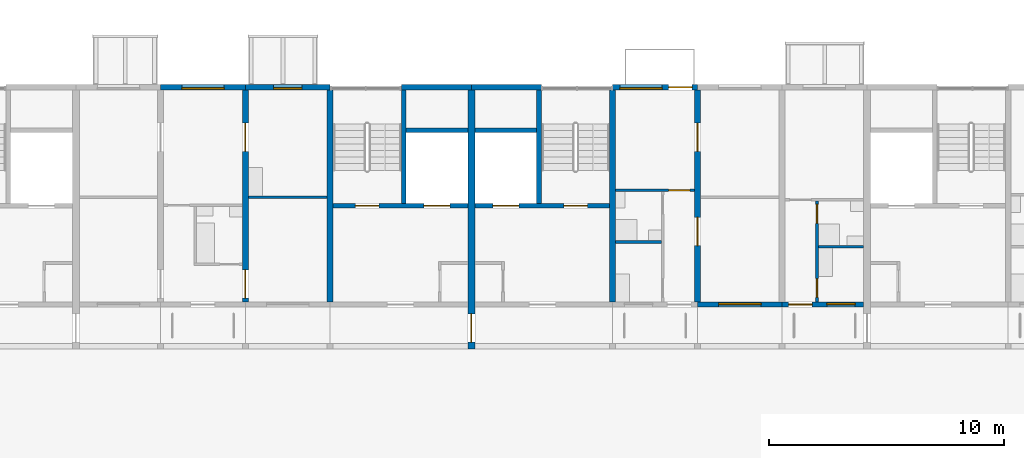
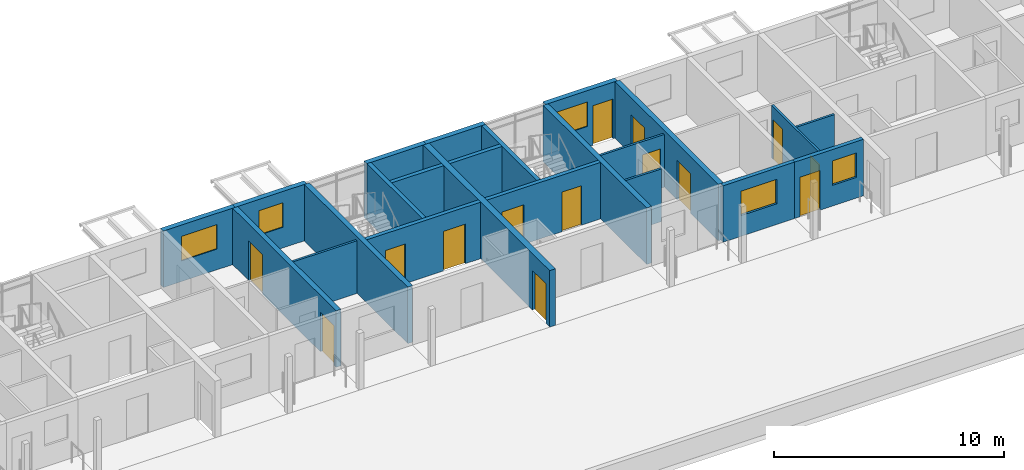
# One storey, part 63 of 115: 23 walls, 14 doors, 5 windows, 19 openings.
"""IFC4 building model written with IfcOpenShell, lengths in metres."""

from ifc_helpers import new_model, si_unit, direction, frame, frame_2d, origin, place, context, subcontext, project, spatial, rectangle, extrude, material, layer, layer_set, type_object, element, fill, save


model = new_model("IFC4")

# Units and contexts
model_context = context("Model", 3, precision=1e-05, world=origin(), true_north=direction((0.0, 1.0)))
body_context = subcontext(model_context, "Body", "Model", "MODEL_VIEW")
ifc_project = project(units=[si_unit("LENGTHUNIT", "METRE"), si_unit("AREAUNIT", "SQUARE_METRE"), si_unit("VOLUMEUNIT", "CUBIC_METRE"), si_unit("PLANEANGLEUNIT", "RADIAN"), si_unit("MASSUNIT", "GRAM", prefix="KILO")], contexts=[model_context])

# Site, building, storey
site_placement = place(None, origin())
site = spatial("IfcSite", under=ifc_project, at=site_placement, CompositionType="ELEMENT")
building_placement = place(site_placement, origin())
building = spatial("IfcBuilding", under=site, at=building_placement, Name="Ridgestep Commons", CompositionType="ELEMENT")
storey_placement = place(building_placement, frame((0.0, 0.0, 6.0)))
storey = spatial("IfcBuildingStorey", under=building, at=storey_placement, Name="L02", CompositionType="ELEMENT", Elevation=6.0)

# Walls
ifc_material_1 = material(Name="Concrete C30/37", Category="concrete")
ifc_layer_1 = layer(ifc_material_1, 0.25)
ifc_layer_set_1 = layer_set([ifc_layer_1], Name="Core cross wall 250")
wall_type_1 = type_object("IfcWallType", Name="Core cross wall 250", PredefinedType="SHEAR", material=ifc_layer_set_1)
for number, where, z_axis, x_axis, name in (
    (1, (208.0, 13.75, 0.0), (0.0, 0.0, 1.0), (0.0, 1.0, 0.0), "Cross wall D-02-2080"),
    (2, (220.0, 13.75, 0.0), (0.0, 0.0, 1.0), (0.0, 1.0, 0.0), "Cross wall D-02-2200"),
):
    element("IfcWall", number, at=place(storey_placement, frame(where, z_axis=z_axis, x_axis=x_axis)), inside=storey, type_object=wall_type_1, Name=name, PredefinedType="SHEAR", context=body_context, shape_type="SweptSolid", body=[
        extrude(rectangle(XDim=9.0, YDim=0.25, at=frame_2d((4.5, 0.0))), origin(), (0.0, 0.0, 1.0), 3.0),
    ])

# Wall, openings, doors
ifc_material_2 = material(Name="Concrete C30/37", Category="concrete")
ifc_layer_2 = layer(ifc_material_2, 0.199951171875)
ifc_layer_set_2 = layer_set([ifc_layer_2], Name="Core wall 200")
wall_type_2 = type_object("IfcWallType", Name="Core wall 200", PredefinedType="SHEAR", material=ifc_layer_set_2)
wall_1_placement = place(storey_placement, frame((208.125, 17.85009765625, 0.0), z_axis=(0.0, 0.0, 1.0), x_axis=(1.0, 0.0, 0.0)))
wall_1 = element("IfcWall", 3, at=wall_1_placement, inside=storey, type_object=wall_type_2, Name="Core lobby wall D4C L02", PredefinedType="SHEAR", context=body_context, shape_type="SweptSolid", body=[
    extrude(rectangle(XDim=5.72509765625, YDim=0.199951171875, at=frame_2d((2.862548828125, 0.0))), origin(), (0.0, 0.0, 1.0), 3.0),
])
opening_1_placement = place(wall_1_placement, frame((0.949951171875, 0.0, 0.0)))
opening_1 = element("IfcOpeningElement", 4, at=opening_1_placement, cuts=wall_1, Name="Opening D4C/02/2", PredefinedType="OPENING", context=body_context, shape_type="SweptSolid", body=[
    extrude(rectangle(XDim=1.0, YDim=2.10009765625, at=frame_2d((0.5, 1.050048828125))), frame((0.0, 0.10986328125, 0.0), z_axis=(0.0, -1.0, 0.0), x_axis=(1.0, 0.0, 0.0)), (0.0, 0.0, 1.0), 0.219970703125),
])
opening_2_placement = place(wall_1_placement, frame((3.862548828125, 0.0, 0.0)))
opening_2 = element("IfcOpeningElement", 5, at=opening_2_placement, cuts=wall_1, Name="Opening D4C/02/3", PredefinedType="OPENING", context=body_context, shape_type="SweptSolid", body=[
    extrude(rectangle(XDim=1.10009765625, YDim=2.10009765625, at=frame_2d((0.550048828125, 1.050048828125))), frame((0.0, 0.10986328125, 0.0), z_axis=(0.0, -1.0, 0.0), x_axis=(1.0, 0.0, 0.0)), (0.0, 0.0, 1.0), 0.219970703125),
])
ifc_material_3 = material(Name="Stainless steel", Category="steel")
door_type_1 = type_object("IfcDoorType", Name="Lift landing door 1100 x 2100 FD60", OperationType="DOUBLE_DOOR_SLIDING", PredefinedType="DOOR", material=ifc_material_3)
door_1_placement = place(opening_2_placement, origin())
door_1 = element("IfcDoor", 6, at=door_1_placement, inside=storey, type_object=door_type_1, Name="Landing door LD D4C L02", OperationType="DOUBLE_DOOR_SLIDING", OverallHeight=2.10009765625, OverallWidth=1.10009765625, PredefinedType="DOOR", context=body_context, shape_type="SweptSolid", body=[
    extrude(rectangle(XDim=1.10009765625, YDim=2.10009765625, at=frame_2d((0.550048828125, 1.050048828125))), frame((0.0, 0.02490234375, 0.0), z_axis=(0.0, -1.0, 0.0), x_axis=(1.0, 0.0, 0.0)), (0.0, 0.0, 1.0), 0.050048828125),
])
fill(opening_2, door_1)
ifc_material_4 = material(Name="Steel fire door", Category="steel")
door_type_2 = type_object("IfcDoorType", Name="Stair door 1000 x 2100 FD60", OperationType="NOTDEFINED", PredefinedType="DOOR", material=ifc_material_4)
door_2_placement = place(opening_1_placement, origin())
door_2 = element("IfcDoor", 7, at=door_2_placement, inside=storey, type_object=door_type_2, Name="Stair door D4C/02/2", OperationType="SINGLE_SWING_RIGHT", OverallHeight=2.10009765625, OverallWidth=1.0, PredefinedType="DOOR", context=body_context, shape_type="SweptSolid", body=[
    extrude(rectangle(XDim=1.0, YDim=2.10009765625, at=frame_2d((0.5, 1.050048828125))), frame((0.0, 0.02490234375, 0.0), z_axis=(0.0, -1.0, 0.0), x_axis=(1.0, 0.0, 0.0)), (0.0, 0.0, 1.0), 0.050048828125),
])
fill(opening_1, door_2)

# Walls
wall_2_placement = place(storey_placement, frame((211.125, 17.949951171875, 0.0), z_axis=(0.0, 0.0, 1.0), x_axis=(0.0, 1.0, 0.0)))
element("IfcWall", 8, at=wall_2_placement, inside=storey, type_object=wall_type_2, Name="Core stair wall D4C L02", PredefinedType="SHEAR", context=body_context, shape_type="SweptSolid", body=[
    extrude(rectangle(XDim=4.800048828125, YDim=0.199951171875, at=frame_2d((2.39990234375, 0.0))), origin(), (0.0, 0.0, 1.0), 3.0),
])
wall_3_placement = place(storey_placement, frame((211.22509765625, 21.050048828125, 0.0), z_axis=(0.0, 0.0, 1.0), x_axis=(1.0, 0.0, 0.0)))
element("IfcWall", 9, at=wall_3_placement, inside=storey, type_object=wall_type_2, Name="Core duct wall D4C L02", PredefinedType="SHEAR", context=body_context, shape_type="SweptSolid", body=[
    extrude(rectangle(XDim=2.625, YDim=0.199951171875, at=frame_2d((1.3125, 0.0))), origin(), (0.0, 0.0, 1.0), 3.0),
])

# Wall, openings, doors
wall_4_placement = place(storey_placement, frame((214.14990234375, 17.85009765625, 0.0), z_axis=(0.0, 0.0, 1.0), x_axis=(1.0, 0.0, 0.0)))
wall_4 = element("IfcWall", 10, at=wall_4_placement, inside=storey, type_object=wall_type_2, Name="Core lobby wall D5C L02", PredefinedType="SHEAR", context=body_context, shape_type="SweptSolid", body=[
    extrude(rectangle(XDim=5.72509765625, YDim=0.199951171875, at=frame_2d((2.862548828125, 0.0))), origin(), (0.0, 0.0, 1.0), 3.0),
])
opening_3_placement = place(wall_4_placement, frame((3.77490234375, 0.0, 0.0)))
opening_3 = element("IfcOpeningElement", 11, at=opening_3_placement, cuts=wall_4, Name="Opening D5C/02/2", PredefinedType="OPENING", context=body_context, shape_type="SweptSolid", body=[
    extrude(rectangle(XDim=1.0, YDim=2.10009765625, at=frame_2d((0.5, 1.050048828125))), frame((0.0, 0.10986328125, 0.0), z_axis=(0.0, -1.0, 0.0), x_axis=(1.0, 0.0, 0.0)), (0.0, 0.0, 1.0), 0.219970703125),
])
opening_4_placement = place(wall_4_placement, frame((0.762451171875, 0.0, 0.0)))
opening_4 = element("IfcOpeningElement", 12, at=opening_4_placement, cuts=wall_4, Name="Opening D5C/02/3", PredefinedType="OPENING", context=body_context, shape_type="SweptSolid", body=[
    extrude(rectangle(XDim=1.10009765625, YDim=2.10009765625, at=frame_2d((0.550048828125, 1.050048828125))), frame((0.0, 0.10986328125, 0.0), z_axis=(0.0, -1.0, 0.0), x_axis=(1.0, 0.0, 0.0)), (0.0, 0.0, 1.0), 0.219970703125),
])
door_3_placement = place(opening_4_placement, origin())
door_3 = element("IfcDoor", 13, at=door_3_placement, inside=storey, type_object=door_type_1, Name="Landing door LD D5C L02", OperationType="DOUBLE_DOOR_SLIDING", OverallHeight=2.10009765625, OverallWidth=1.10009765625, PredefinedType="DOOR", context=body_context, shape_type="SweptSolid", body=[
    extrude(rectangle(XDim=1.10009765625, YDim=2.10009765625, at=frame_2d((0.550048828125, 1.050048828125))), frame((0.0, 0.02490234375, 0.0), z_axis=(0.0, -1.0, 0.0), x_axis=(1.0, 0.0, 0.0)), (0.0, 0.0, 1.0), 0.050048828125),
])
fill(opening_4, door_3)
door_4_placement = place(opening_3_placement, origin())
door_4 = element("IfcDoor", 14, at=door_4_placement, inside=storey, type_object=door_type_2, Name="Stair door D5C/02/2", OperationType="SINGLE_SWING_RIGHT", OverallHeight=2.10009765625, OverallWidth=1.0, PredefinedType="DOOR", context=body_context, shape_type="SweptSolid", body=[
    extrude(rectangle(XDim=1.0, YDim=2.10009765625, at=frame_2d((0.5, 1.050048828125))), frame((0.0, 0.02490234375, 0.0), z_axis=(0.0, -1.0, 0.0), x_axis=(1.0, 0.0, 0.0)), (0.0, 0.0, 1.0), 0.050048828125),
])
fill(opening_3, door_4)

# Walls
wall_5_placement = place(storey_placement, frame((216.875, 17.949951171875, 0.0), z_axis=(0.0, 0.0, 1.0), x_axis=(0.0, 1.0, 0.0)))
element("IfcWall", 15, at=wall_5_placement, inside=storey, type_object=wall_type_2, Name="Core stair wall D5C L02", PredefinedType="SHEAR", context=body_context, shape_type="SweptSolid", body=[
    extrude(rectangle(XDim=4.800048828125, YDim=0.199951171875, at=frame_2d((2.39990234375, 0.0))), origin(), (0.0, 0.0, 1.0), 3.0),
])
wall_6_placement = place(storey_placement, frame((214.14990234375, 21.050048828125, 0.0), z_axis=(0.0, 0.0, 1.0), x_axis=(1.0, 0.0, 0.0)))
element("IfcWall", 16, at=wall_6_placement, inside=storey, type_object=wall_type_2, Name="Core duct wall D5C L02", PredefinedType="SHEAR", context=body_context, shape_type="SweptSolid", body=[
    extrude(rectangle(XDim=2.625, YDim=0.199951171875, at=frame_2d((1.3125, 0.0))), origin(), (0.0, 0.0, 1.0), 3.0),
])

# Wall, openings, doors
ifc_material_5 = material(Name="Precast concrete C40/50", Category="concrete")
ifc_layer_3 = layer(ifc_material_5, 0.25)
ifc_layer_set_3 = layer_set([ifc_layer_3], Name="Cross wall 250")
wall_type_3 = type_object("IfcWallType", Name="Cross wall 250", PredefinedType="SHEAR", material=ifc_layer_set_3)
wall_7_placement = place(storey_placement, frame((204.39990234375, 13.75, 0.0), z_axis=(0.0, 0.0, 1.0), x_axis=(0.0, 1.0, 0.0)))
wall_7 = element("IfcWall", 17, at=wall_7_placement, inside=storey, type_object=wall_type_3, Name="Cross wall D-02-2044", PredefinedType="SHEAR", context=body_context, shape_type="SweptSolid", body=[
    extrude(rectangle(XDim=9.0, YDim=0.25, at=frame_2d((4.5, 0.0))), origin(), (0.0, 0.0, 1.0), 3.0),
])
opening_5_placement = place(wall_7_placement, frame((0.175048828125, 0.0, 0.0)))
opening_5 = element("IfcOpeningElement", 18, at=opening_5_placement, cuts=wall_7, Name="Opening D4-02a/6", PredefinedType="OPENING", context=body_context, shape_type="SweptSolid", body=[
    extrude(rectangle(XDim=1.199951171875, YDim=2.10009765625, at=frame_2d((0.60009765625, 1.050048828125))), frame((0.0, 0.135009765625, 0.0), z_axis=(0.0, -1.0, 0.0), x_axis=(1.0, 0.0, 0.0)), (0.0, 0.0, 1.0), 0.27001953125),
])
opening_6_placement = place(wall_7_placement, frame((6.39990234375, 0.0, 0.0)))
opening_6 = element("IfcOpeningElement", 19, at=opening_6_placement, cuts=wall_7, Name="Opening D4-02a/7", PredefinedType="OPENING", context=body_context, shape_type="SweptSolid", body=[
    extrude(rectangle(XDim=1.199951171875, YDim=2.10009765625, at=frame_2d((0.60009765625, 1.050048828125))), frame((0.0, 0.135009765625, 0.0), z_axis=(0.0, -1.0, 0.0), x_axis=(1.0, 0.0, 0.0)), (0.0, 0.0, 1.0), 0.27001953125),
])
ifc_material_6 = material(Name="Timber door leaf", Category="wood")
door_type_3 = type_object("IfcDoorType", Name="Double door 1200 x 2100", OperationType="DOUBLE_DOOR_SINGLE_SWING", PredefinedType="DOOR", material=ifc_material_6)
door_5_placement = place(opening_5_placement, origin())
door_5 = element("IfcDoor", 20, at=door_5_placement, inside=storey, type_object=door_type_3, Name="Double door D4-02a/6", OperationType="DOUBLE_DOOR_SINGLE_SWING", OverallHeight=2.10009765625, OverallWidth=1.199951171875, PredefinedType="DOOR", context=body_context, shape_type="SweptSolid", body=[
    extrude(rectangle(XDim=1.199951171875, YDim=2.10009765625, at=frame_2d((0.60009765625, 1.050048828125))), frame((0.0, 0.02490234375, 0.0), z_axis=(0.0, -1.0, 0.0), x_axis=(1.0, 0.0, 0.0)), (0.0, 0.0, 1.0), 0.050048828125),
])
fill(opening_5, door_5)
door_6_placement = place(opening_6_placement, origin())
door_6 = element("IfcDoor", 21, at=door_6_placement, inside=storey, type_object=door_type_3, Name="Double door D4-02a/7", OperationType="DOUBLE_DOOR_SINGLE_SWING", OverallHeight=2.10009765625, OverallWidth=1.199951171875, PredefinedType="DOOR", context=body_context, shape_type="SweptSolid", body=[
    extrude(rectangle(XDim=1.199951171875, YDim=2.10009765625, at=frame_2d((0.60009765625, 1.050048828125))), frame((0.0, 0.02490234375, 0.0), z_axis=(0.0, -1.0, 0.0), x_axis=(1.0, 0.0, 0.0)), (0.0, 0.0, 1.0), 0.050048828125),
])
fill(opening_6, door_6)

wall_8_placement = place(storey_placement, frame((223.60009765625, 13.75, 0.0), z_axis=(0.0, 0.0, 1.0), x_axis=(0.0, 1.0, 0.0)))
wall_8 = element("IfcWall", 22, at=wall_8_placement, inside=storey, type_object=wall_type_3, Name="Cross wall D-02-2236", PredefinedType="SHEAR", context=body_context, shape_type="SweptSolid", body=[
    extrude(rectangle(XDim=9.0, YDim=0.25, at=frame_2d((4.5, 0.0))), origin(), (0.0, 0.0, 1.0), 3.0),
])
opening_7_placement = place(wall_8_placement, frame((2.39990234375, 0.0, 0.0)))
opening_7 = element("IfcOpeningElement", 23, at=opening_7_placement, cuts=wall_8, Name="Opening D5-02b/5", PredefinedType="OPENING", context=body_context, shape_type="SweptSolid", body=[
    extrude(rectangle(XDim=1.199951171875, YDim=2.10009765625, at=frame_2d((0.60009765625, 1.050048828125))), frame((0.0, 0.135009765625, 0.0), z_axis=(0.0, -1.0, 0.0), x_axis=(1.0, 0.0, 0.0)), (0.0, 0.0, 1.0), 0.27001953125),
])
opening_8_placement = place(wall_8_placement, frame((6.39990234375, 0.0, 0.0)))
opening_8 = element("IfcOpeningElement", 24, at=opening_8_placement, cuts=wall_8, Name="Opening D5-02b/6", PredefinedType="OPENING", context=body_context, shape_type="SweptSolid", body=[
    extrude(rectangle(XDim=1.199951171875, YDim=2.10009765625, at=frame_2d((0.60009765625, 1.050048828125))), frame((0.0, 0.135009765625, 0.0), z_axis=(0.0, -1.0, 0.0), x_axis=(1.0, 0.0, 0.0)), (0.0, 0.0, 1.0), 0.27001953125),
])
door_7_placement = place(opening_7_placement, origin())
door_7 = element("IfcDoor", 25, at=door_7_placement, inside=storey, type_object=door_type_3, Name="Double door D5-02b/5", OperationType="DOUBLE_DOOR_SINGLE_SWING", OverallHeight=2.10009765625, OverallWidth=1.199951171875, PredefinedType="DOOR", context=body_context, shape_type="SweptSolid", body=[
    extrude(rectangle(XDim=1.199951171875, YDim=2.10009765625, at=frame_2d((0.60009765625, 1.050048828125))), frame((0.0, 0.02490234375, 0.0), z_axis=(0.0, -1.0, 0.0), x_axis=(1.0, 0.0, 0.0)), (0.0, 0.0, 1.0), 0.050048828125),
])
fill(opening_7, door_7)
door_8_placement = place(opening_8_placement, origin())
door_8 = element("IfcDoor", 26, at=door_8_placement, inside=storey, type_object=door_type_3, Name="Double door D5-02b/6", OperationType="DOUBLE_DOOR_SINGLE_SWING", OverallHeight=2.10009765625, OverallWidth=1.199951171875, PredefinedType="DOOR", context=body_context, shape_type="SweptSolid", body=[
    extrude(rectangle(XDim=1.199951171875, YDim=2.10009765625, at=frame_2d((0.60009765625, 1.050048828125))), frame((0.0, 0.02490234375, 0.0), z_axis=(0.0, -1.0, 0.0), x_axis=(1.0, 0.0, 0.0)), (0.0, 0.0, 1.0), 0.050048828125),
])
fill(opening_8, door_8)

# Wall, opening, door
ifc_material_7 = material(Name="Precast concrete C40/50", Category="concrete")
ifc_layer_4 = layer(ifc_material_7, 0.300048828125)
ifc_layer_set_4 = layer_set([ifc_layer_4], Name="Division wall 300")
wall_type_4 = type_object("IfcWallType", Name="Division wall 300", PredefinedType="SHEAR", material=ifc_layer_set_4)
wall_9_placement = place(storey_placement, frame((214.0, 11.75, 0.0), z_axis=(0.0, 0.0, 1.0), x_axis=(0.0, 1.0, 0.0)))
wall_9 = element("IfcWall", 27, at=wall_9_placement, inside=storey, type_object=wall_type_4, Name="Cross wall D-02-2140", PredefinedType="SHEAR", context=body_context, shape_type="SweptSolid", body=[
    extrude(rectangle(XDim=11.0, YDim=0.300048828125, at=frame_2d((5.5, 0.0))), origin(), (0.0, 0.0, 1.0), 3.0),
])
opening_9_placement = place(wall_9_placement, frame((0.300048828125, 0.0, 0.0)))
opening_9 = element("IfcOpeningElement", 28, at=opening_9_placement, cuts=wall_9, Name="Opening D/02/G2140", PredefinedType="OPENING", context=body_context, shape_type="SweptSolid", body=[
    extrude(rectangle(XDim=1.199951171875, YDim=2.10009765625, at=frame_2d((0.60009765625, 1.050048828125))), frame((0.0, 0.159912109375, 0.0), z_axis=(0.0, -1.0, 0.0), x_axis=(1.0, 0.0, 0.0)), (0.0, 0.0, 1.0), 0.320068359375),
])
ifc_material_8 = material(Name="Steel fire door", Category="steel")
door_type_4 = type_object("IfcDoorType", Name="Division fire door 1200 x 2100 EI 240", OperationType="DOUBLE_DOOR_SINGLE_SWING", PredefinedType="DOOR", material=ifc_material_8)
door_9_placement = place(opening_9_placement, origin())
door_9 = element("IfcDoor", 29, at=door_9_placement, inside=storey, type_object=door_type_4, Name="Division fire door D/02/G2140", OperationType="DOUBLE_DOOR_SINGLE_SWING", OverallHeight=2.10009765625, OverallWidth=1.199951171875, PredefinedType="DOOR", context=body_context, shape_type="SweptSolid", body=[
    extrude(rectangle(XDim=1.199951171875, YDim=2.10009765625, at=frame_2d((0.60009765625, 1.050048828125))), frame((0.0, 0.02490234375, 0.0), z_axis=(0.0, -1.0, 0.0), x_axis=(1.0, 0.0, 0.0)), (0.0, 0.0, 1.0), 0.050048828125),
])
fill(opening_9, door_9)

# Wall, opening, window
ifc_material_9 = material(Name="Precast concrete C40/50", Category="concrete")
ifc_layer_5 = layer(ifc_material_9, 0.25)
ifc_layer_set_5 = layer_set([ifc_layer_5], Name="North facade panel 250")
wall_type_5 = type_object("IfcWallType", Name="North facade panel 250", PredefinedType="SOLIDWALL", material=ifc_layer_set_5)
wall_10_placement = place(storey_placement, frame((200.800048828125, 22.875, 0.0), z_axis=(0.0, 0.0, 1.0), x_axis=(1.0, 0.0, 0.0)))
wall_10 = element("IfcWall", 30, at=wall_10_placement, inside=storey, type_object=wall_type_5, Name="North panel D4T2 L02", PredefinedType="SOLIDWALL", context=body_context, shape_type="SweptSolid", body=[
    extrude(rectangle(XDim=3.599853515625, YDim=0.25, at=frame_2d((1.7998046875, 0.0))), origin(), (0.0, 0.0, 1.0), 3.0),
])
opening_10_placement = place(wall_10_placement, frame((0.89990234375, 0.0, 1.10009765625)))
opening_10 = element("IfcOpeningElement", 31, at=opening_10_placement, cuts=wall_10, Name="Opening W18", PredefinedType="OPENING", context=body_context, shape_type="SweptSolid", body=[
    extrude(rectangle(XDim=1.800048828125, YDim=1.300048828125, at=frame_2d((0.89990234375, 0.64990234375))), frame((0.0, 0.135009765625, 0.0), z_axis=(0.0, -1.0, 0.0), x_axis=(1.0, 0.0, 0.0)), (0.0, 0.0, 1.0), 0.27001953125),
])
ifc_material_10 = material(Name="Aluminium 6063-T6 and glass", Category="aluminium")
window_type_1 = type_object("IfcWindowType", Name="Flat window 1800 x 1300", PartitioningType="DOUBLE_PANEL_VERTICAL", PredefinedType="WINDOW", material=ifc_material_10)
window_1_placement = place(opening_10_placement, origin())
window_1 = element("IfcWindow", 32, at=window_1_placement, inside=storey, type_object=window_type_1, Name="Window D4-02a 5", OverallHeight=1.300048828125, OverallWidth=1.800048828125, PartitioningType="SINGLE_PANEL", PredefinedType="WINDOW", context=body_context, shape_type="SweptSolid", body=[
    extrude(rectangle(XDim=1.800048828125, YDim=1.300048828125, at=frame_2d((0.89990234375, 0.64990234375))), frame((0.0, -0.02490234375, 0.0), z_axis=(0.0, -1.0, 0.0), x_axis=(1.0, 0.0, 0.0)), (0.0, 0.0, 1.0), 0.06005859375),
])
fill(opening_10, window_1)

wall_11_placement = place(storey_placement, frame((204.39990234375, 22.875, 0.0), z_axis=(0.0, 0.0, 1.0), x_axis=(1.0, 0.0, 0.0)))
wall_11 = element("IfcWall", 33, at=wall_11_placement, inside=storey, type_object=wall_type_5, Name="North panel D4T3 L02", PredefinedType="SOLIDWALL", context=body_context, shape_type="SweptSolid", body=[
    extrude(rectangle(XDim=3.60009765625, YDim=0.25, at=frame_2d((1.800048828125, 0.0))), origin(), (0.0, 0.0, 1.0), 3.0),
])
opening_11_placement = place(wall_11_placement, frame((1.199951171875, 0.0, 1.10009765625)))
opening_11 = element("IfcOpeningElement", 34, at=opening_11_placement, cuts=wall_11, Name="Opening W08", PredefinedType="OPENING", context=body_context, shape_type="SweptSolid", body=[
    extrude(rectangle(XDim=1.199951171875, YDim=1.300048828125, at=frame_2d((0.60009765625, 0.64990234375))), frame((0.0, 0.135009765625, 0.0), z_axis=(0.0, -1.0, 0.0), x_axis=(1.0, 0.0, 0.0)), (0.0, 0.0, 1.0), 0.27001953125),
])
ifc_material_11 = material(Name="Aluminium 6063-T6 and glass", Category="aluminium")
window_type_2 = type_object("IfcWindowType", Name="Flat window 1200 x 1300", PartitioningType="SINGLE_PANEL", PredefinedType="WINDOW", material=ifc_material_11)
window_2_placement = place(opening_11_placement, origin())
window_2 = element("IfcWindow", 35, at=window_2_placement, inside=storey, type_object=window_type_2, Name="Window D4-02a 4", OverallHeight=1.300048828125, OverallWidth=1.199951171875, PartitioningType="SINGLE_PANEL", PredefinedType="WINDOW", context=body_context, shape_type="SweptSolid", body=[
    extrude(rectangle(XDim=1.199951171875, YDim=1.300048828125, at=frame_2d((0.60009765625, 0.64990234375))), frame((0.0, -0.02490234375, 0.0), z_axis=(0.0, -1.0, 0.0), x_axis=(1.0, 0.0, 0.0)), (0.0, 0.0, 1.0), 0.06005859375),
])
fill(opening_11, window_2)

# Walls
for number, where, z_axis, x_axis, name in (
    (36, (211.02490234375, 22.875, 0.0), (0.0, 0.0, 1.0), (1.0, 0.0, 0.0), "North panel D4C L02"),
    (37, (214.0, 22.875, 0.0), (0.0, 0.0, 1.0), (1.0, 0.0, 0.0), "North panel D5C L02"),
):
    element("IfcWall", number, at=place(storey_placement, frame(where, z_axis=z_axis, x_axis=x_axis)), inside=storey, type_object=wall_type_5, Name=name, PredefinedType="SOLIDWALL", context=body_context, shape_type="SweptSolid", body=[
        extrude(rectangle(XDim=2.97509765625, YDim=0.25, at=frame_2d((1.487548828125, 0.0))), origin(), (0.0, 0.0, 1.0), 3.0),
    ])

# Wall, openings, door, window
wall_12_placement = place(storey_placement, frame((220.0, 22.875, 0.0), z_axis=(0.0, 0.0, 1.0), x_axis=(1.0, 0.0, 0.0)))
wall_12 = element("IfcWall", 38, at=wall_12_placement, inside=storey, type_object=wall_type_5, Name="North panel D5T3 L02", PredefinedType="SOLIDWALL", context=body_context, shape_type="SweptSolid", body=[
    extrude(rectangle(XDim=3.60009765625, YDim=0.25, at=frame_2d((1.800048828125, 0.0))), origin(), (0.0, 0.0, 1.0), 3.0),
])
opening_12_placement = place(wall_12_placement, frame((0.301513671875, 0.0, 1.10009765625)))
opening_12 = element("IfcOpeningElement", 39, at=opening_12_placement, cuts=wall_12, Name="Opening W18", PredefinedType="OPENING", context=body_context, shape_type="SweptSolid", body=[
    extrude(rectangle(XDim=1.800048828125, YDim=1.300048828125, at=frame_2d((0.89990234375, 0.64990234375))), frame((0.0, 0.135009765625, 0.0), z_axis=(0.0, -1.0, 0.0), x_axis=(1.0, 0.0, 0.0)), (0.0, 0.0, 1.0), 0.27001953125),
])
opening_13_placement = place(wall_12_placement, frame((2.3779296875, 0.0, 0.0)))
opening_13 = element("IfcOpeningElement", 40, at=opening_13_placement, cuts=wall_12, Name="Opening D5-02b/7", PredefinedType="OPENING", context=body_context, shape_type="SweptSolid", body=[
    extrude(rectangle(XDim=1.0, YDim=2.10009765625, at=frame_2d((0.5, 1.050048828125))), frame((0.0, 0.135009765625, 0.0), z_axis=(0.0, -1.0, 0.0), x_axis=(1.0, 0.0, 0.0)), (0.0, 0.0, 1.0), 0.27001953125),
])
ifc_material_12 = material(Name="Aluminium and glass", Category="aluminium")
door_type_5 = type_object("IfcDoorType", Name="Balcony door 1000 x 2100", OperationType="NOTDEFINED", PredefinedType="DOOR", material=ifc_material_12)
door_10_placement = place(opening_13_placement, origin())
door_10 = element("IfcDoor", 41, at=door_10_placement, inside=storey, type_object=door_type_5, Name="Balcony door D5-02b/7", OperationType="SINGLE_SWING_LEFT", OverallHeight=2.10009765625, OverallWidth=1.0, PredefinedType="DOOR", context=body_context, shape_type="SweptSolid", body=[
    extrude(rectangle(XDim=1.0, YDim=2.10009765625, at=frame_2d((0.5, 1.050048828125))), frame((0.0, 0.02490234375, 0.0), z_axis=(0.0, -1.0, 0.0), x_axis=(1.0, 0.0, 0.0)), (0.0, 0.0, 1.0), 0.050048828125),
])
fill(opening_13, door_10)
window_3_placement = place(opening_12_placement, origin())
window_3 = element("IfcWindow", 42, at=window_3_placement, inside=storey, type_object=window_type_1, Name="Window D5-02b 4", OverallHeight=1.300048828125, OverallWidth=1.800048828125, PartitioningType="SINGLE_PANEL", PredefinedType="WINDOW", context=body_context, shape_type="SweptSolid", body=[
    extrude(rectangle(XDim=1.800048828125, YDim=1.300048828125, at=frame_2d((0.89990234375, 0.64990234375))), frame((0.0, -0.02490234375, 0.0), z_axis=(0.0, -1.0, 0.0), x_axis=(1.0, 0.0, 0.0)), (0.0, 0.0, 1.0), 0.06005859375),
])
fill(opening_12, window_3)

# Wall
ifc_material_13 = material(Name="Common brick 110 mm", Category="masonry")
ifc_layer_6 = layer(ifc_material_13, 0.110107421875)
ifc_layer_set_6 = layer_set([ifc_layer_6], Name="Partition 110")
wall_type_6 = type_object("IfcWallType", Name="Partition 110", PredefinedType="PARTITIONING", material=ifc_layer_set_6)
wall_13_placement = place(storey_placement, frame((204.52490234375, 18.205078125, 0.0), z_axis=(0.0, 0.0, 1.0), x_axis=(1.0, 0.0, 0.0)))
element("IfcWall", 43, at=wall_13_placement, inside=storey, type_object=wall_type_6, Name="Partition D4-02a", PredefinedType="PARTITIONING", context=body_context, shape_type="SweptSolid", body=[
    extrude(rectangle(XDim=3.35009765625, YDim=0.110107421875, at=frame_2d((1.675048828125, 0.0))), origin(), (0.0, 0.0, 1.0), 2.800048828125),
])

# Wall, openings, doors
wall_14_placement = place(storey_placement, frame((228.679931640625, 13.75, 0.0), z_axis=(0.0, 0.0, 1.0), x_axis=(0.0, 1.0, 0.0)))
wall_14 = element("IfcWall", 44, at=wall_14_placement, inside=storey, type_object=wall_type_6, Name="Partition D5-02a", PredefinedType="PARTITIONING", context=body_context, shape_type="SweptSolid", body=[
    extrude(rectangle(XDim=4.300048828125, YDim=0.110107421875, at=frame_2d((2.14990234375, 0.0))), origin(), (0.0, 0.0, 1.0), 2.800048828125),
])
opening_14_placement = place(wall_14_placement, frame((0.199951171875, 0.0, 0.0)))
opening_14 = element("IfcOpeningElement", 45, at=opening_14_placement, cuts=wall_14, Name="Opening D5-02a/2", PredefinedType="OPENING", context=body_context, shape_type="SweptSolid", body=[
    extrude(rectangle(XDim=0.800048828125, YDim=2.10009765625, at=frame_2d((0.39990234375, 1.050048828125))), frame((0.0, 0.06494140625, 0.0), z_axis=(0.0, -1.0, 0.0), x_axis=(1.0, 0.0, 0.0)), (0.0, 0.0, 1.0), 0.130126953125),
])
opening_15_placement = place(wall_14_placement, frame((3.35009765625, 0.0, 0.0)))
opening_15 = element("IfcOpeningElement", 46, at=opening_15_placement, cuts=wall_14, Name="Opening D5-02a/3", PredefinedType="OPENING", context=body_context, shape_type="SweptSolid", body=[
    extrude(rectangle(XDim=0.800048828125, YDim=2.10009765625, at=frame_2d((0.39990234375, 1.050048828125))), frame((0.0, 0.06494140625, 0.0), z_axis=(0.0, -1.0, 0.0), x_axis=(1.0, 0.0, 0.0)), (0.0, 0.0, 1.0), 0.130126953125),
])
ifc_material_14 = material(Name="Timber door leaf", Category="wood")
door_type_6 = type_object("IfcDoorType", Name="Internal door 800 x 2100", OperationType="NOTDEFINED", PredefinedType="DOOR", material=ifc_material_14)
door_11_placement = place(opening_14_placement, origin())
door_11 = element("IfcDoor", 47, at=door_11_placement, inside=storey, type_object=door_type_6, Name="Internal door D5-02a/2", OperationType="SINGLE_SWING_RIGHT", OverallHeight=2.10009765625, OverallWidth=0.800048828125, PredefinedType="DOOR", context=body_context, shape_type="SweptSolid", body=[
    extrude(rectangle(XDim=0.800048828125, YDim=2.10009765625, at=frame_2d((0.39990234375, 1.050048828125))), frame((0.0, 0.02490234375, 0.0), z_axis=(0.0, -1.0, 0.0), x_axis=(1.0, 0.0, 0.0)), (0.0, 0.0, 1.0), 0.050048828125),
])
fill(opening_14, door_11)
door_12_placement = place(opening_15_placement, origin())
door_12 = element("IfcDoor", 48, at=door_12_placement, inside=storey, type_object=door_type_6, Name="Internal door D5-02a/3", OperationType="SINGLE_SWING_LEFT", OverallHeight=2.10009765625, OverallWidth=0.800048828125, PredefinedType="DOOR", context=body_context, shape_type="SweptSolid", body=[
    extrude(rectangle(XDim=0.800048828125, YDim=2.10009765625, at=frame_2d((0.39990234375, 1.050048828125))), frame((0.0, 0.02490234375, 0.0), z_axis=(0.0, -1.0, 0.0), x_axis=(1.0, 0.0, 0.0)), (0.0, 0.0, 1.0), 0.050048828125),
])
fill(opening_15, door_12)

# Walls
wall_15_placement = place(storey_placement, frame((228.735107421875, 16.10498046875, 0.0), z_axis=(0.0, 0.0, 1.0), x_axis=(1.0, 0.0, 0.0)))
element("IfcWall", 49, at=wall_15_placement, inside=storey, type_object=wall_type_6, Name="Partition D5-02a", PredefinedType="PARTITIONING", context=body_context, shape_type="SweptSolid", body=[
    extrude(rectangle(XDim=1.914794921875, YDim=0.110107421875, at=frame_2d((0.95751953125, 0.0))), origin(), (0.0, 0.0, 1.0), 2.800048828125),
])
wall_16_placement = place(storey_placement, frame((220.125, 16.304931640625, 0.0), z_axis=(0.0, 0.0, 1.0), x_axis=(1.0, 0.0, 0.0)))
element("IfcWall", 50, at=wall_16_placement, inside=storey, type_object=wall_type_6, Name="Partition D5-02b", PredefinedType="PARTITIONING", context=body_context, shape_type="SweptSolid", body=[
    extrude(rectangle(XDim=1.93994140625, YDim=0.110107421875, at=frame_2d((0.969970703125, 0.0))), origin(), (0.0, 0.0, 1.0), 2.800048828125),
])

# Wall, opening, door
wall_17_placement = place(storey_placement, frame((220.125, 18.5048828125, 0.0), z_axis=(0.0, 0.0, 1.0), x_axis=(1.0, 0.0, 0.0)))
wall_17 = element("IfcWall", 51, at=wall_17_placement, inside=storey, type_object=wall_type_6, Name="Partition D5-02b", PredefinedType="PARTITIONING", context=body_context, shape_type="SweptSolid", body=[
    extrude(rectangle(XDim=3.35009765625, YDim=0.110107421875, at=frame_2d((1.675048828125, 0.0))), origin(), (0.0, 0.0, 1.0), 2.800048828125),
])
opening_16_placement = place(wall_17_placement, frame((2.25, 0.0, 0.0)))
opening_16 = element("IfcOpeningElement", 52, at=opening_16_placement, cuts=wall_17, Name="Opening D5-02b/4", PredefinedType="OPENING", context=body_context, shape_type="SweptSolid", body=[
    extrude(rectangle(XDim=0.89990234375, YDim=2.10009765625, at=frame_2d((0.449951171875, 1.050048828125))), frame((0.0, 0.06494140625, 0.0), z_axis=(0.0, -1.0, 0.0), x_axis=(1.0, 0.0, 0.0)), (0.0, 0.0, 1.0), 0.130126953125),
])
ifc_material_15 = material(Name="Timber door leaf", Category="wood")
door_type_7 = type_object("IfcDoorType", Name="Internal door 900 x 2100", OperationType="NOTDEFINED", PredefinedType="DOOR", material=ifc_material_15)
door_13_placement = place(opening_16_placement, origin())
door_13 = element("IfcDoor", 53, at=door_13_placement, inside=storey, type_object=door_type_7, Name="Internal door D5-02b/4", OperationType="SINGLE_SWING_LEFT", OverallHeight=2.10009765625, OverallWidth=0.89990234375, PredefinedType="DOOR", context=body_context, shape_type="SweptSolid", body=[
    extrude(rectangle(XDim=0.89990234375, YDim=2.10009765625, at=frame_2d((0.449951171875, 1.050048828125))), frame((0.0, 0.02490234375, 0.0), z_axis=(0.0, -1.0, 0.0), x_axis=(1.0, 0.0, 0.0)), (0.0, 0.0, 1.0), 0.050048828125),
])
fill(opening_16, door_13)

# Wall, opening, window
ifc_material_16 = material(Name="Precast concrete C40/50", Category="concrete")
ifc_layer_7 = layer(ifc_material_16, 0.199951171875)
ifc_layer_set_7 = layer_set([ifc_layer_7], Name="South facade panel 200")
wall_type_7 = type_object("IfcWallType", Name="South facade panel 200", PredefinedType="SOLIDWALL", material=ifc_layer_set_7)
wall_18_placement = place(storey_placement, frame((223.60009765625, 13.64990234375, 0.0), z_axis=(0.0, 0.0, 1.0), x_axis=(1.0, 0.0, 0.0)))
wall_18 = element("IfcWall", 54, at=wall_18_placement, inside=storey, type_object=wall_type_7, Name="South panel D5T2 L02", PredefinedType="SOLIDWALL", context=body_context, shape_type="SweptSolid", body=[
    extrude(rectangle(XDim=3.599853515625, YDim=0.199951171875, at=frame_2d((1.7998046875, 0.0))), origin(), (0.0, 0.0, 1.0), 3.0),
])
opening_17_placement = place(wall_18_placement, frame((0.89990234375, 0.0, 1.10009765625)))
opening_17 = element("IfcOpeningElement", 55, at=opening_17_placement, cuts=wall_18, Name="Opening W18", PredefinedType="OPENING", context=body_context, shape_type="SweptSolid", body=[
    extrude(rectangle(XDim=1.800048828125, YDim=1.300048828125, at=frame_2d((0.89990234375, 0.64990234375))), frame((0.0, 0.10986328125, 0.0), z_axis=(0.0, -1.0, 0.0), x_axis=(1.0, 0.0, 0.0)), (0.0, 0.0, 1.0), 0.219970703125),
])
window_4_placement = place(opening_17_placement, origin())
window_4 = element("IfcWindow", 56, at=window_4_placement, inside=storey, type_object=window_type_1, Name="Window D5-02b 1", OverallHeight=1.300048828125, OverallWidth=1.800048828125, PartitioningType="SINGLE_PANEL", PredefinedType="WINDOW", context=body_context, shape_type="SweptSolid", body=[
    extrude(rectangle(XDim=1.800048828125, YDim=1.300048828125, at=frame_2d((0.89990234375, 0.64990234375))), frame((0.0, 0.06005859375, 0.0), z_axis=(0.0, -1.0, 0.0), x_axis=(1.0, 0.0, 0.0)), (0.0, 0.0, 1.0), 0.06005859375),
])
fill(opening_17, window_4)

# Wall, openings, door, window
wall_19_placement = place(storey_placement, frame((227.199951171875, 13.64990234375, 0.0), z_axis=(0.0, 0.0, 1.0), x_axis=(1.0, 0.0, 0.0)))
wall_19 = element("IfcWall", 57, at=wall_19_placement, inside=storey, type_object=wall_type_7, Name="South panel D5T1 L02", PredefinedType="SOLIDWALL", context=body_context, shape_type="SweptSolid", body=[
    extrude(rectangle(XDim=3.449951171875, YDim=0.199951171875, at=frame_2d((1.72509765625, 0.0))), origin(), (0.0, 0.0, 1.0), 3.0),
])
opening_18_placement = place(wall_19_placement, frame((1.892578125, 0.0, 1.10009765625)))
opening_18 = element("IfcOpeningElement", 58, at=opening_18_placement, cuts=wall_19, Name="Opening W08", PredefinedType="OPENING", context=body_context, shape_type="SweptSolid", body=[
    extrude(rectangle(XDim=1.199951171875, YDim=1.300048828125, at=frame_2d((0.60009765625, 0.64990234375))), frame((0.0, 0.10986328125, 0.0), z_axis=(0.0, -1.0, 0.0), x_axis=(1.0, 0.0, 0.0)), (0.0, 0.0, 1.0), 0.219970703125),
])
opening_19_placement = place(wall_19_placement, frame((0.27490234375, 0.0, 0.0)))
opening_19 = element("IfcOpeningElement", 59, at=opening_19_placement, cuts=wall_19, Name="Opening D5-02a/1", PredefinedType="OPENING", context=body_context, shape_type="SweptSolid", body=[
    extrude(rectangle(XDim=1.0, YDim=2.10009765625, at=frame_2d((0.5, 1.050048828125))), frame((0.0, 0.10986328125, 0.0), z_axis=(0.0, -1.0, 0.0), x_axis=(1.0, 0.0, 0.0)), (0.0, 0.0, 1.0), 0.219970703125),
])
ifc_material_17 = material(Name="Timber door leaf", Category="wood")
door_type_8 = type_object("IfcDoorType", Name="Flat entrance door 1000 x 2100 FD30S", OperationType="NOTDEFINED", PredefinedType="DOOR", material=ifc_material_17)
door_14_placement = place(opening_19_placement, origin())
door_14 = element("IfcDoor", 60, at=door_14_placement, inside=storey, type_object=door_type_8, Name="Flat entrance door D5-02a/1", OperationType="SINGLE_SWING_LEFT", OverallHeight=2.10009765625, OverallWidth=1.0, PredefinedType="DOOR", context=body_context, shape_type="SweptSolid", body=[
    extrude(rectangle(XDim=1.0, YDim=2.10009765625, at=frame_2d((0.5, 1.050048828125))), frame((0.0, 0.02490234375, 0.0), z_axis=(0.0, -1.0, 0.0), x_axis=(1.0, 0.0, 0.0)), (0.0, 0.0, 1.0), 0.050048828125),
])
fill(opening_19, door_14)
window_5_placement = place(opening_18_placement, origin())
window_5 = element("IfcWindow", 61, at=window_5_placement, inside=storey, type_object=window_type_2, Name="Window D5-02a 1", OverallHeight=1.300048828125, OverallWidth=1.199951171875, PartitioningType="SINGLE_PANEL", PredefinedType="WINDOW", context=body_context, shape_type="SweptSolid", body=[
    extrude(rectangle(XDim=1.199951171875, YDim=1.300048828125, at=frame_2d((0.60009765625, 0.64990234375))), frame((0.0, 0.06005859375, 0.0), z_axis=(0.0, -1.0, 0.0), x_axis=(1.0, 0.0, 0.0)), (0.0, 0.0, 1.0), 0.06005859375),
])
fill(opening_18, window_5)

save(model, "model.ifc")
